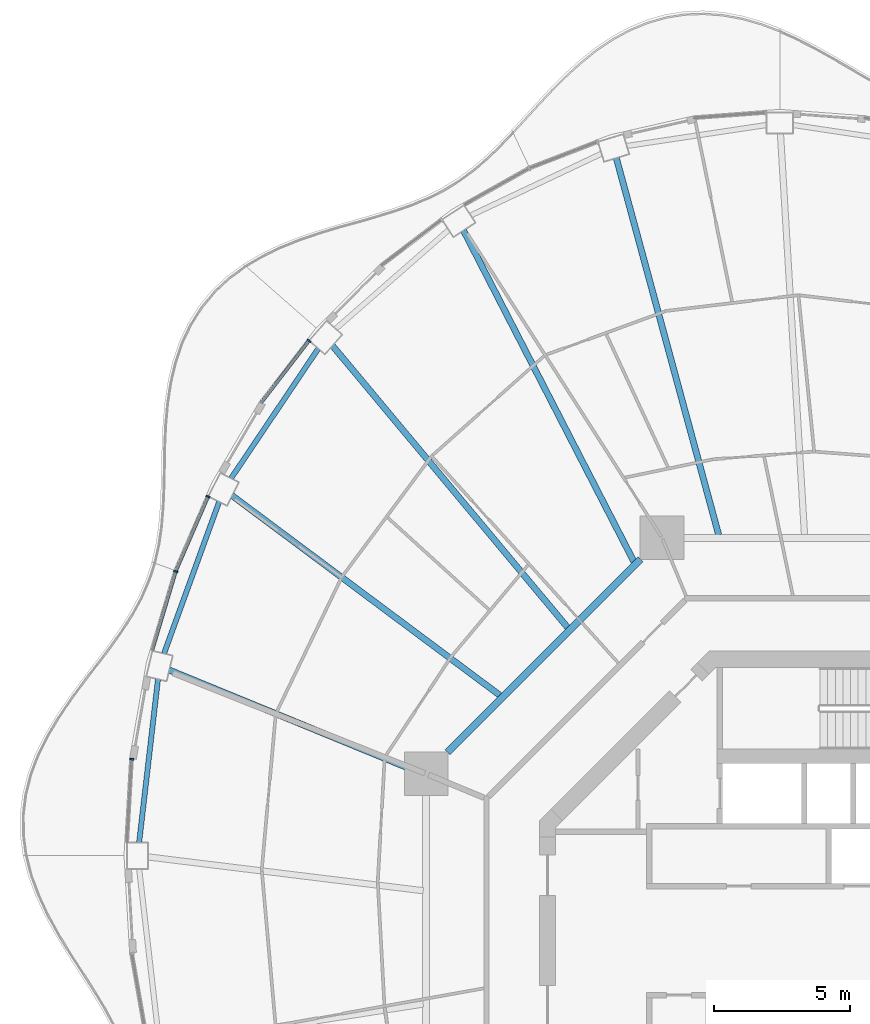
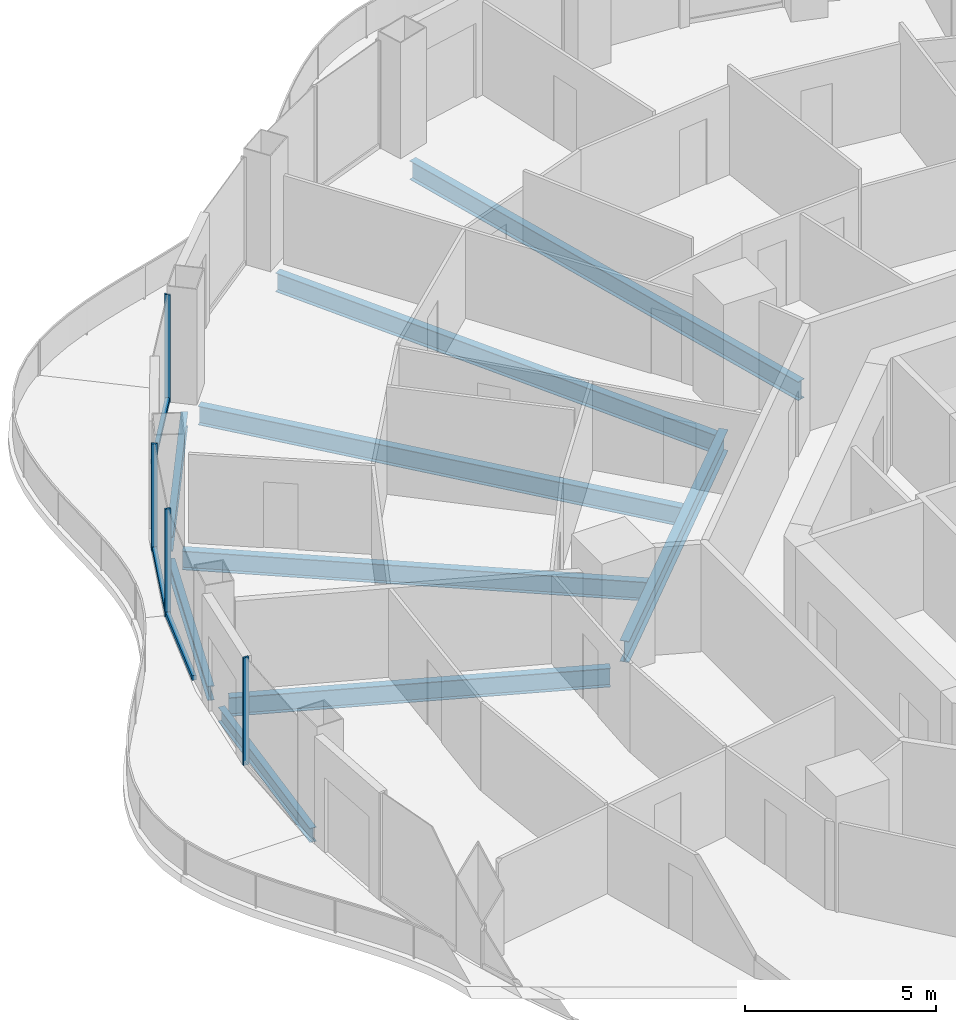
# One storey, part 5 of 18: 9 beams, 7 members, 4 elements without a shape of their own.
"""IFC4 building model written with IfcOpenShell, lengths in metres."""

from ifc_helpers import new_model, si_unit, direction, frame, origin, origin_2d, place, context, subcontext, project, spatial, rectangle, i_section, extrude, material, layer, layer_set, material_profile, profile_set, type_object, element, aggregate, save


model = new_model("IFC4")

# Units and contexts
model_context = context("Model", 3, precision=1e-05, world=origin(), true_north=direction((0.0, 1.0)))
body_context = subcontext(model_context, "Body", "Model", "MODEL_VIEW")
ifc_project = project(units=[si_unit("LENGTHUNIT", "METRE"), si_unit("AREAUNIT", "SQUARE_METRE"), si_unit("VOLUMEUNIT", "CUBIC_METRE"), si_unit("PLANEANGLEUNIT", "RADIAN"), si_unit("MASSUNIT", "GRAM", prefix="KILO")], contexts=[model_context])

# Site, building, storey
site_placement = place(None, origin())
site = spatial("IfcSite", under=ifc_project, at=site_placement, CompositionType="ELEMENT")
building_placement = place(site_placement, origin())
building = spatial("IfcBuilding", under=site, at=building_placement, Name="Nagisa Residences", CompositionType="ELEMENT")
storey_placement = place(building_placement, frame((0.0, 0.0, 230.699951171875)))
storey = spatial("IfcBuildingStorey", under=building, at=storey_placement, Name="L58", CompositionType="ELEMENT", Elevation=230.699951171875)

# Curtain wall, member
ifc_material_1 = material(Name="Concrete-coloured aluminium curtain wall system", Category="concrete")
ifc_layer = layer(ifc_material_1, 0.159912109375)
ifc_layer_set = layer_set([ifc_layer], Name="CW1 CURTAIN WALL")
curtain_wall_type = type_object("IfcCurtainWallType", Name="CW1 CURTAIN WALL", PredefinedType="NOTDEFINED", material=ifc_layer_set)
curtain_wall_1_placement = place(storey_placement, origin())
curtain_wall_1 = element("IfcCurtainWall", 1, at=curtain_wall_1_placement, inside=storey, type_object=curtain_wall_type, Name="cw:CW1:L58:18", PredefinedType="NOTDEFINED")
ifc_material_2 = material(Name="Concrete-coloured aluminium", Category="concrete")
ifc_material_profile_1 = material_profile(ifc_material_2, rectangle(XDim=0.159912109375, YDim=0.06005859375, at=origin_2d()), Name="CW1 MULLION 160x60")
ifc_profile_set_1 = profile_set([ifc_material_profile_1], Name="Concrete-coloured aluminium")
member_type_1 = type_object("IfcMemberType", Name="CW1 MULLION 160x60", PredefinedType="MULLION", material=ifc_profile_set_1)
member_1_placement = place(storey_placement, frame((-19.080322265625, 22.0166015625, 0.0), z_axis=(0.0, 0.0, 1.0), x_axis=(0.792070340816, -0.610429828235, 0.0)))
member_1 = element("IfcMember", 2, at=member_1_placement, type_object=member_type_1, Name="CW1 mullion", PredefinedType="MULLION", context=body_context, shape_type="SweptSolid", body=[
    extrude(rectangle(XDim=0.159912109375, YDim=0.06005859375, at=origin_2d()), origin(), (0.0, 0.0, 1.0), 3.43994140625),
])

curtain_wall_2_placement = place(storey_placement, origin())
curtain_wall_2 = element("IfcCurtainWall", 3, at=curtain_wall_2_placement, inside=storey, type_object=curtain_wall_type, Name="cw:CW1:L58:20", PredefinedType="NOTDEFINED")
member_2_placement = place(storey_placement, frame((-22.782470703125, 16.294677734375, 0.0), z_axis=(0.0, 0.0, 1.0), x_axis=(0.917543276295, -0.397635934147, 0.0)))
member_2 = element("IfcMember", 4, at=member_2_placement, type_object=member_type_1, Name="CW1 mullion", PredefinedType="MULLION", context=body_context, shape_type="SweptSolid", body=[
    extrude(rectangle(XDim=0.159912109375, YDim=0.06005859375, at=origin_2d()), origin(), (0.0, 0.0, 1.0), 3.43994140625),
])

curtain_wall_3_placement = place(storey_placement, origin())
curtain_wall_3 = element("IfcCurtainWall", 5, at=curtain_wall_3_placement, inside=storey, type_object=curtain_wall_type, Name="cw:CW1:L58:21", PredefinedType="NOTDEFINED")
member_3_placement = place(storey_placement, frame((-23.9697265625, 13.5478515625, 0.0), z_axis=(0.0, 0.0, 1.0), x_axis=(0.958271310082, -0.285860274038, 0.0)))
member_3 = element("IfcMember", 6, at=member_3_placement, type_object=member_type_1, Name="CW1 mullion", PredefinedType="MULLION", context=body_context, shape_type="SweptSolid", body=[
    extrude(rectangle(XDim=0.159912109375, YDim=0.06005859375, at=origin_2d()), origin(), (0.0, 0.0, 1.0), 3.43994140625),
])

curtain_wall_4_placement = place(storey_placement, origin())
curtain_wall_4 = element("IfcCurtainWall", 7, at=curtain_wall_4_placement, inside=storey, type_object=curtain_wall_type, Name="cw:CW1:L58:23", PredefinedType="NOTDEFINED")
member_4_placement = place(storey_placement, frame((-25.5859375, 6.658203125, 0.0), z_axis=(0.0, 0.0, 1.0), x_axis=(0.998345305184, -0.057503492216, 0.0)))
member_4 = element("IfcMember", 8, at=member_4_placement, type_object=member_type_1, Name="CW1 mullion", PredefinedType="MULLION", context=body_context, shape_type="SweptSolid", body=[
    extrude(rectangle(XDim=0.159912109375, YDim=0.06005859375, at=origin_2d()), origin(), (0.0, 0.0, 1.0), 3.43994140625),
])
aggregate(curtain_wall_4, [member_4])

# Member
ifc_material_3 = material(Name="Concrete-coloured aluminium", Category="concrete")
ifc_material_profile_2 = material_profile(ifc_material_3, rectangle(XDim=0.1201171875, YDim=0.14990234375, at=origin_2d()), Name="CW1 TRANSOM 120x150")
ifc_profile_set_2 = profile_set([ifc_material_profile_2], Name="Concrete-coloured aluminium")
member_type_2 = type_object("IfcMemberType", Name="CW1 TRANSOM 120x150", PredefinedType="USERDEFINED", material=ifc_profile_set_2)
member_5_placement = place(storey_placement, frame((-19.06201171875, 22.04052734375, 0.074951171875), z_axis=(-0.610438565676, -0.792063607001, 0.0), x_axis=(0.792063607001, -0.610438565676, 0.0)))
member_5 = element("IfcMember", 9, at=member_5_placement, type_object=member_type_2, Name="CW1 transom", ObjectType="TRANSOM", PredefinedType="USERDEFINED", context=body_context, shape_type="SweptSolid", body=[
    extrude(rectangle(XDim=0.1201171875, YDim=0.14990234375, at=origin_2d()), origin(), (0.0, 0.0, 1.0), 2.90087890625),
])

aggregate(curtain_wall_1, [member_1, member_5])

member_6_placement = place(storey_placement, frame((-22.770751953125, 16.322021484375, 0.074951171875), z_axis=(-0.397616567135, -0.917551669139, 0.0), x_axis=(0.917551669139, -0.397616567135, 0.0)))
member_6 = element("IfcMember", 10, at=member_6_placement, type_object=member_type_2, Name="CW1 transom", ObjectType="TRANSOM", PredefinedType="USERDEFINED", context=body_context, shape_type="SweptSolid", body=[
    extrude(rectangle(XDim=0.1201171875, YDim=0.14990234375, at=origin_2d()), origin(), (0.0, 0.0, 1.0), 3.001953125),
])

aggregate(curtain_wall_2, [member_2, member_6])

member_7_placement = place(storey_placement, frame((-23.961181640625, 13.576416015625, 0.074951171875), z_axis=(-0.285881452443, -0.958264992134, 0.0), x_axis=(0.958264992134, -0.285881452443, 0.0)))
member_7 = element("IfcMember", 11, at=member_7_placement, type_object=member_type_2, Name="CW1 transom", ObjectType="TRANSOM", PredefinedType="USERDEFINED", context=body_context, shape_type="SweptSolid", body=[
    extrude(rectangle(XDim=0.1201171875, YDim=0.14990234375, at=origin_2d()), origin(), (0.0, 0.0, 1.0), 3.040283203125),
])

aggregate(curtain_wall_3, [member_3, member_7])

# Beams
ifc_material_4 = material(Name="Steel ASTM A572 Gr 50", Category="steel")
ifc_material_profile_3 = material_profile(ifc_material_4, i_section(OverallWidth=0.2529296875, OverallDepth=0.677978515625, WebThickness=0.01171875, FlangeThickness=0.016357421875, at=origin_2d()), Name="W690x125")
ifc_profile_set_3 = profile_set([ifc_material_profile_3], Name="Steel ASTM A572 Gr 50")
beam_type_1 = type_object("IfcBeamType", Name="Inner ring beam W690x125", PredefinedType="BEAM", material=ifc_profile_set_3)
beam_1_placement = place(storey_placement, frame((-6.90869140625, 13.99609375, -0.598876953125), z_axis=(-0.707106781187, -0.707106781187, 0.0), x_axis=(0.707106781187, -0.707106781187, 0.0)))
element("IfcBeam", 12, at=beam_1_placement, inside=storey, type_object=beam_type_1, Name="beam:L58:ib3", PredefinedType="BEAM", context=body_context, shape_type="SweptSolid", body=[
    extrude(i_section(OverallWidth=0.2529296875, OverallDepth=0.677978515625, WebThickness=0.01171875, FlangeThickness=0.016357421875, at=origin_2d()), origin(), (0.0, 0.0, 1.0), 10.023193359375),
])
ifc_material_5 = material(Name="Steel ASTM A572 Gr 50", Category="steel")
ifc_material_profile_4 = material_profile(ifc_material_5, i_section(OverallWidth=0.18994140625, OverallDepth=0.45703125, WebThickness=0.009033203125, FlangeThickness=0.014404296875, at=origin_2d()), Name="W460x74")
ifc_profile_set_4 = profile_set([ifc_material_profile_4], Name="Steel ASTM A572 Gr 50")
beam_type_2 = type_object("IfcBeamType", Name="Perimeter ring beam W460x74", PredefinedType="BEAM", material=ifc_profile_set_4)
beam_2_placement = place(storey_placement, frame((-18.73681640625, 21.72998046875, -0.488525390625), z_axis=(-0.558079852096, -0.829787249049, 0.0), x_axis=(0.829787249049, -0.558079852096, 0.0)))
element("IfcBeam", 13, at=beam_2_placement, inside=storey, type_object=beam_type_2, Name="beam:L58:pb10", PredefinedType="BEAM", context=body_context, shape_type="SweptSolid", body=[
    extrude(i_section(OverallWidth=0.18994140625, OverallDepth=0.45703125, WebThickness=0.009033203125, FlangeThickness=0.014404296875, at=origin_2d()), origin(), (0.0, 0.0, 1.0), 5.743408203125),
])
beam_3_placement = place(storey_placement, frame((-22.377197265625, 16.108154296875, -0.488525390625), z_axis=(-0.34127712749, -0.939962723863, 0.0), x_axis=(0.939962723863, -0.34127712749, 0.0)))
element("IfcBeam", 14, at=beam_3_placement, inside=storey, type_object=beam_type_2, Name="beam:L58:pb11", PredefinedType="BEAM", context=body_context, shape_type="SweptSolid", body=[
    extrude(i_section(OverallWidth=0.18994140625, OverallDepth=0.45703125, WebThickness=0.009033203125, FlangeThickness=0.014404296875, at=origin_2d()), origin(), (0.0, 0.0, 1.0), 5.9326171875),
])
beam_4_placement = place(storey_placement, frame((-24.622314453125, 9.59716796875, -0.488525390625), z_axis=(-0.114650193512, -0.993405925656, 0.0), x_axis=(0.993405925656, -0.114650193512, 0.0)))
element("IfcBeam", 15, at=beam_4_placement, inside=storey, type_object=beam_type_2, Name="beam:L58:pb12", PredefinedType="BEAM", context=body_context, shape_type="SweptSolid", body=[
    extrude(i_section(OverallWidth=0.18994140625, OverallDepth=0.45703125, WebThickness=0.009033203125, FlangeThickness=0.014404296875, at=origin_2d()), origin(), (0.0, 0.0, 1.0), 6.0390625),
])
ifc_material_6 = material(Name="Steel ASTM A572 Gr 50", Category="steel")
ifc_material_profile_5 = material_profile(ifc_material_6, i_section(OverallWidth=0.22802734375, OverallDepth=0.60302734375, WebThickness=0.010498046875, FlangeThickness=0.014892578125, at=origin_2d()), Name="W610x101")
ifc_profile_set_5 = profile_set([ifc_material_profile_5], Name="Steel ASTM A572 Gr 50")
beam_type_3 = type_object("IfcBeamType", Name="Radial beam W610x101", PredefinedType="BEAM", material=ifc_profile_set_5)
beam_5_placement = place(storey_placement, frame((-7.80078125, 28.724609375, -0.5615234375), z_axis=(0.26207978084, -0.965046210539, 0.0), x_axis=(0.965046210539, 0.26207978084, 0.0)))
element("IfcBeam", 16, at=beam_5_placement, inside=storey, type_object=beam_type_3, Name="beam:L58:rb08", PredefinedType="BEAM", context=body_context, shape_type="SweptSolid", body=[
    extrude(i_section(OverallWidth=0.22802734375, OverallDepth=0.60302734375, WebThickness=0.010498046875, FlangeThickness=0.014892578125, at=origin_2d()), origin(), (0.0, 0.0, 1.0), 14.336669921875),
])
beam_6_placement = place(storey_placement, frame((-13.41015625, 26.065185546875, -0.5615234375), z_axis=(0.457487565814, -0.889216018257, 0.0), x_axis=(0.889216018257, 0.457487565814, 0.0)))
element("IfcBeam", 17, at=beam_6_placement, inside=storey, type_object=beam_type_3, Name="beam:L58:rb09", PredefinedType="BEAM", context=body_context, shape_type="SweptSolid", body=[
    extrude(i_section(OverallWidth=0.22802734375, OverallDepth=0.60302734375, WebThickness=0.010498046875, FlangeThickness=0.014892578125, at=origin_2d()), origin(), (0.0, 0.0, 1.0), 13.676513671875),
])
beam_7_placement = place(storey_placement, frame((-18.219970703125, 21.83642578125, -0.5615234375), z_axis=(0.64065600401, -0.767828030568, 0.0), x_axis=(0.767828030568, 0.64065600401, 0.0)))
element("IfcBeam", 18, at=beam_7_placement, inside=storey, type_object=beam_type_3, Name="beam:L58:rb10", PredefinedType="BEAM", context=body_context, shape_type="SweptSolid", body=[
    extrude(i_section(OverallWidth=0.22802734375, OverallDepth=0.60302734375, WebThickness=0.010498046875, FlangeThickness=0.014892578125, at=origin_2d()), origin(), (0.0, 0.0, 1.0), 13.490234375),
])
beam_8_placement = place(storey_placement, frame((-21.90283203125, 16.33203125, -0.5615234375), z_axis=(0.801674643351, -0.597760626177, 0.0), x_axis=(0.597760626177, 0.801674643351, 0.0)))
element("IfcBeam", 19, at=beam_8_placement, inside=storey, type_object=beam_type_3, Name="beam:L58:rb11", PredefinedType="BEAM", context=body_context, shape_type="SweptSolid", body=[
    extrude(i_section(OverallWidth=0.22802734375, OverallDepth=0.60302734375, WebThickness=0.010498046875, FlangeThickness=0.014892578125, at=origin_2d()), origin(), (0.0, 0.0, 1.0), 12.275634765625),
])
beam_9_placement = place(storey_placement, frame((-24.210693359375, 9.93115234375, -0.5615234375), z_axis=(0.925188691773, -0.379507423663, 0.0), x_axis=(0.379507423663, 0.925188691773, 0.0)))
element("IfcBeam", 20, at=beam_9_placement, inside=storey, type_object=beam_type_3, Name="beam:L58:rb12", PredefinedType="BEAM", context=body_context, shape_type="SweptSolid", body=[
    extrude(i_section(OverallWidth=0.22802734375, OverallDepth=0.60302734375, WebThickness=0.010498046875, FlangeThickness=0.014892578125, at=origin_2d()), origin(), (0.0, 0.0, 1.0), 10.07421875),
])

save(model, "model.ifc")
